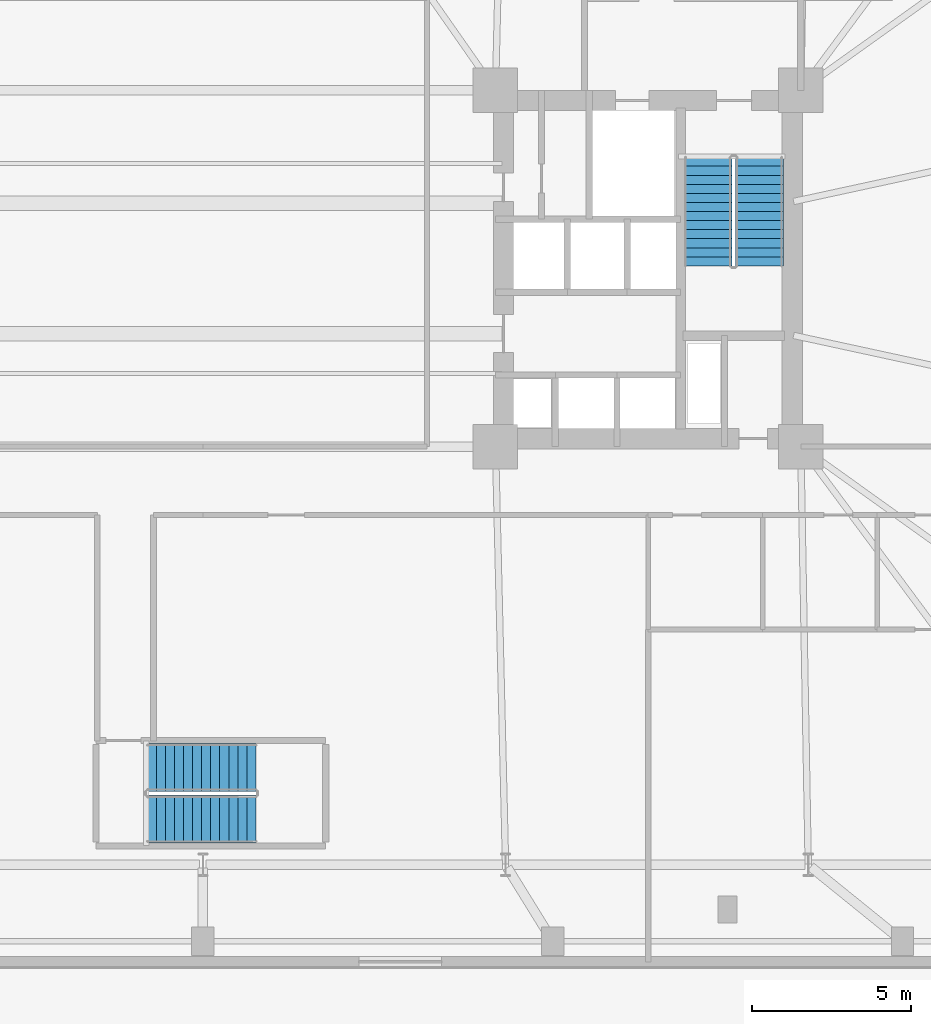
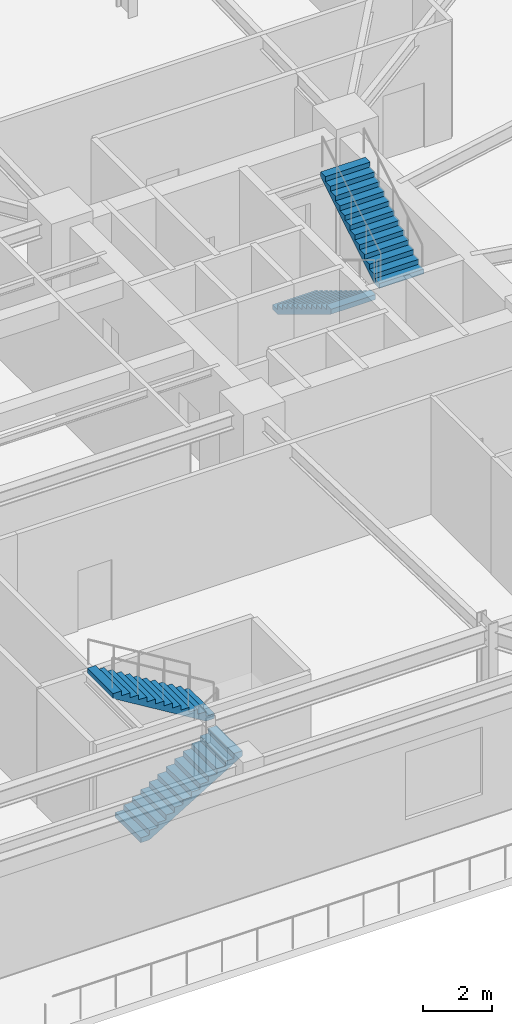
# One storey, part 16 of 21: 4 stair flights, 2 elements without a shape of their own.
"""IFC4 building model written with IfcOpenShell, lengths in metres."""

from ifc_helpers import new_model, si_unit, direction, frame, origin, place, context, subcontext, project, spatial, polyline, outline, extrude, material, type_object, element, aggregate, save


model = new_model("IFC4")

# Units and contexts
model_context = context("Model", 3, precision=1e-05, world=origin(), true_north=direction((0.0, 1.0)))
body_context = subcontext(model_context, "Body", "Model", "MODEL_VIEW")
ifc_project = project(units=[si_unit("LENGTHUNIT", "METRE"), si_unit("AREAUNIT", "SQUARE_METRE"), si_unit("VOLUMEUNIT", "CUBIC_METRE"), si_unit("PLANEANGLEUNIT", "RADIAN"), si_unit("MASSUNIT", "GRAM", prefix="KILO")], contexts=[model_context])

# Site, building, storey
site_placement = place(None, origin())
site = spatial("IfcSite", under=ifc_project, at=site_placement, CompositionType="ELEMENT")
building_placement = place(site_placement, origin())
building = spatial("IfcBuilding", under=site, at=building_placement, Name="Qobustan Lattice House", CompositionType="ELEMENT")
storey_placement = place(building_placement, frame((0.0, 0.0, 13.5)))
storey = spatial("IfcBuildingStorey", under=building, at=storey_placement, Name="L03", CompositionType="ELEMENT", Elevation=13.5)

# Stair, stair flights
ifc_material_1 = material(Name="Concrete C40/50", Category="concrete")
stair_type_1 = type_object("IfcStairType", Name="STR-CORE-DOGLEG", PredefinedType="HALF_TURN_STAIR", material=ifc_material_1)
stair_1_placement = place(storey_placement, origin())
stair_1 = element("IfcStair", 1, at=stair_1_placement, inside=storey, type_object=stair_type_1, Name="L03 East protected exit stair ST-E1", PredefinedType="HALF_TURN_STAIR")
ifc_material_2 = material(Name="Concrete C40/50", Category="concrete")
stair_flight_type = type_object("IfcStairFlightType", Name="SFL-RC-1500", PredefinedType="STRAIGHT", material=ifc_material_2)
stair_flight_1_placement = place(storey_placement, frame((15.8798828125, 3.5, 0.0), z_axis=(0.0, 0.0, 1.0), x_axis=(0.0, -1.0, 0.0)))
stair_flight_1 = element("IfcStairFlight", 2, at=stair_flight_1_placement, type_object=stair_flight_type, Name="ST-E1 flight 1", NumberOfRisers=13, NumberOfTreads=12, PredefinedType="STRAIGHT", RiserHeight=0.173076923, TreadLength=0.285, context=body_context, shape_type="SweptSolid", body=[
    extrude(outline(polyline([(0.0, 0.0), (0.0, 0.173095703125), (0.284912109375, 0.173095703125), (0.284912109375, 0.34619140625), (0.570068359375, 0.34619140625), (0.570068359375, 0.519287109375), (0.85498046875, 0.519287109375), (0.85498046875, 0.6923828125), (1.139892578125, 0.6923828125), (1.139892578125, 0.865478515625), (1.425048828125, 0.865478515625), (1.425048828125, 1.03857421875), (1.7099609375, 1.03857421875), (1.7099609375, 1.21142578125), (1.9951171875, 1.21142578125), (1.9951171875, 1.384521484375), (2.280029296875, 1.384521484375), (2.280029296875, 1.5576171875), (2.56494140625, 1.5576171875), (2.56494140625, 1.730712890625), (2.85009765625, 1.730712890625), (2.85009765625, 1.90380859375), (3.135009765625, 1.90380859375), (3.135009765625, 2.076904296875), (3.419921875, 2.076904296875), (3.419921875, 2.25), (3.419921875, 1.901611328125), (0.288818359375, 0.0), (0.0, 0.0)])), frame((0.0, 0.75, 0.0), z_axis=(0.0, -1.0, 0.0), x_axis=(1.0, 0.0, 0.0)), (0.0, 0.0, 1.0), 1.5),
])
stair_flight_2_placement = place(storey_placement, frame((17.5, 0.080078125, 2.25), z_axis=(0.0, 0.0, 1.0), x_axis=(0.0, 1.0, 0.0)))
stair_flight_2 = element("IfcStairFlight", 3, at=stair_flight_2_placement, type_object=stair_flight_type, Name="ST-E1 flight 2", NumberOfRisers=13, NumberOfTreads=12, PredefinedType="STRAIGHT", RiserHeight=0.173076923, TreadLength=0.285, context=body_context, shape_type="SweptSolid", body=[
    extrude(outline(polyline([(0.0, 0.0), (0.0, 0.173095703125), (0.284912109375, 0.173095703125), (0.284912109375, 0.34619140625), (0.570068359375, 0.34619140625), (0.570068359375, 0.519287109375), (0.85498046875, 0.519287109375), (0.85498046875, 0.6923828125), (1.139892578125, 0.6923828125), (1.139892578125, 0.865478515625), (1.425048828125, 0.865478515625), (1.425048828125, 1.03857421875), (1.7099609375, 1.03857421875), (1.7099609375, 1.21142578125), (1.9951171875, 1.21142578125), (1.9951171875, 1.384521484375), (2.280029296875, 1.384521484375), (2.280029296875, 1.5576171875), (2.56494140625, 1.5576171875), (2.56494140625, 1.730712890625), (2.85009765625, 1.730712890625), (2.85009765625, 1.90380859375), (3.135009765625, 1.90380859375), (3.135009765625, 2.076904296875), (3.419921875, 2.076904296875), (3.419921875, 2.25), (3.419921875, 1.901611328125), (0.288818359375, 0.0), (0.0, 0.0)])), frame((0.0, 0.75, 0.0), z_axis=(0.0, -1.0, 0.0), x_axis=(1.0, 0.0, 0.0)), (0.0, 0.0, 1.0), 1.5),
])
aggregate(stair_1, [stair_flight_1, stair_flight_2])

ifc_material_3 = material(Name="Concrete C40/50", Category="concrete")
stair_type_2 = type_object("IfcStairType", Name="STR-POD-DOGLEG", PredefinedType="DOUBLE_RETURN_STAIR", material=ifc_material_3)
stair_2_placement = place(storey_placement, origin())
stair_2 = element("IfcStair", 4, at=stair_2_placement, inside=storey, type_object=stair_type_2, Name="L03 Podium garden exit stair ST-P1", PredefinedType="DOUBLE_RETURN_STAIR")
stair_flight_3_placement = place(storey_placement, frame((-1.75, -17.31005859375, 0.0), z_axis=(0.0, 0.0, 1.0), x_axis=(1.0, 0.0, 0.0)))
stair_flight_3 = element("IfcStairFlight", 5, at=stair_flight_3_placement, type_object=stair_flight_type, Name="ST-P1 flight 1", NumberOfRisers=13, NumberOfTreads=12, PredefinedType="STRAIGHT", RiserHeight=0.173076923, TreadLength=0.285, context=body_context, shape_type="SweptSolid", body=[
    extrude(outline(polyline([(0.0, 0.0), (0.0, 0.173095703125), (0.284912109375, 0.173095703125), (0.284912109375, 0.34619140625), (0.570068359375, 0.34619140625), (0.570068359375, 0.519287109375), (0.85498046875, 0.519287109375), (0.85498046875, 0.6923828125), (1.139892578125, 0.6923828125), (1.139892578125, 0.865478515625), (1.425048828125, 0.865478515625), (1.425048828125, 1.03857421875), (1.7099609375, 1.03857421875), (1.7099609375, 1.21142578125), (1.9951171875, 1.21142578125), (1.9951171875, 1.384521484375), (2.280029296875, 1.384521484375), (2.280029296875, 1.5576171875), (2.56494140625, 1.5576171875), (2.56494140625, 1.730712890625), (2.85009765625, 1.730712890625), (2.85009765625, 1.90380859375), (3.135009765625, 1.90380859375), (3.135009765625, 2.076904296875), (3.419921875, 2.076904296875), (3.419921875, 2.25), (3.419921875, 1.901611328125), (0.288818359375, 0.0), (0.0, 0.0)])), frame((0.0, 0.75, 0.0), z_axis=(0.0, -1.0, 0.0), x_axis=(1.0, 0.0, 0.0)), (0.0, 0.0, 1.0), 1.5),
])
stair_flight_4_placement = place(storey_placement, frame((1.669921875, -15.68994140625, 2.25), z_axis=(0.0, 0.0, 1.0), x_axis=(-1.0, 0.0, 0.0)))
stair_flight_4 = element("IfcStairFlight", 6, at=stair_flight_4_placement, type_object=stair_flight_type, Name="ST-P1 flight 2", NumberOfRisers=13, NumberOfTreads=12, PredefinedType="STRAIGHT", RiserHeight=0.173076923, TreadLength=0.285, context=body_context, shape_type="SweptSolid", body=[
    extrude(outline(polyline([(0.0, 0.0), (0.0, 0.173095703125), (0.284912109375, 0.173095703125), (0.284912109375, 0.34619140625), (0.570068359375, 0.34619140625), (0.570068359375, 0.519287109375), (0.85498046875, 0.519287109375), (0.85498046875, 0.6923828125), (1.139892578125, 0.6923828125), (1.139892578125, 0.865478515625), (1.425048828125, 0.865478515625), (1.425048828125, 1.03857421875), (1.7099609375, 1.03857421875), (1.7099609375, 1.21142578125), (1.9951171875, 1.21142578125), (1.9951171875, 1.384521484375), (2.280029296875, 1.384521484375), (2.280029296875, 1.5576171875), (2.56494140625, 1.5576171875), (2.56494140625, 1.730712890625), (2.85009765625, 1.730712890625), (2.85009765625, 1.90380859375), (3.135009765625, 1.90380859375), (3.135009765625, 2.076904296875), (3.419921875, 2.076904296875), (3.419921875, 2.25), (3.419921875, 1.901611328125), (0.288818359375, 0.0), (0.0, 0.0)])), frame((0.0, 0.75, 0.0), z_axis=(0.0, -1.0, 0.0), x_axis=(1.0, 0.0, 0.0)), (0.0, 0.0, 1.0), 1.5),
])
aggregate(stair_2, [stair_flight_3, stair_flight_4])

save(model, "model.ifc")
